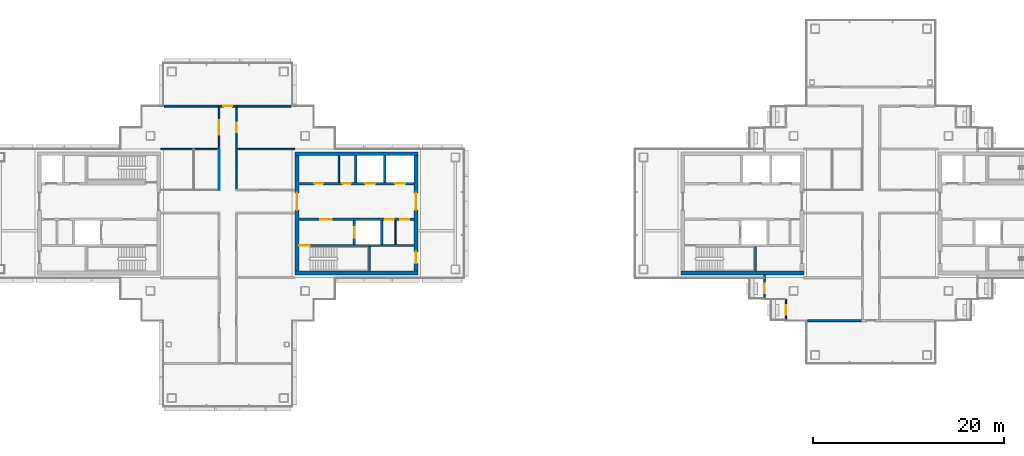
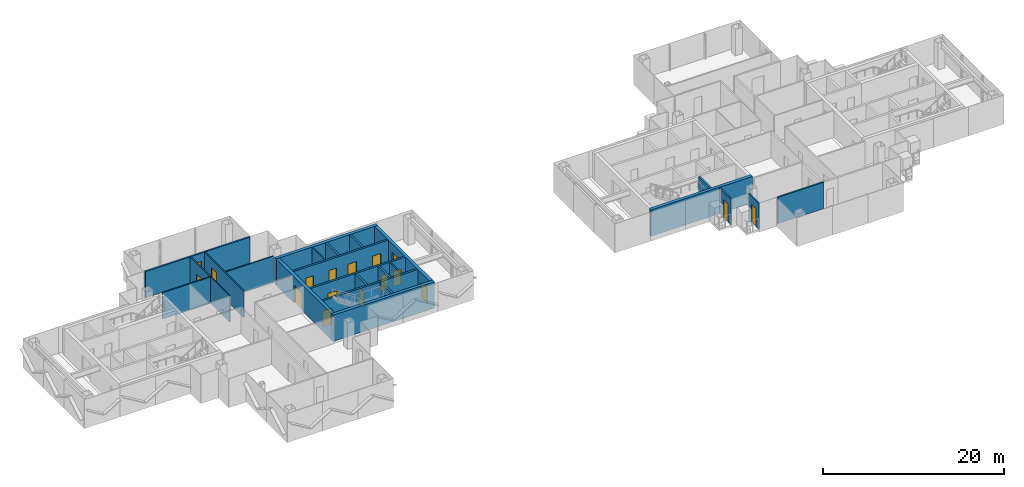
# One storey, part 10 of 17: 27 walls, 17 doors, 17 openings.
"""IFC4 building model written with IfcOpenShell, lengths in metres."""

from ifc_helpers import new_model, si_unit, direction, frame, frame_2d, origin, place, context, subcontext, project, spatial, rectangle, extrude, material, layer, layer_set, type_object, element, fill, save


model = new_model("IFC4")

# Units and contexts
model_context = context("Model", 3, precision=1e-05, world=origin(), true_north=direction((0.0, 1.0)))
body_context = subcontext(model_context, "Body", "Model", "MODEL_VIEW")
ifc_project = project(units=[si_unit("LENGTHUNIT", "METRE"), si_unit("AREAUNIT", "SQUARE_METRE"), si_unit("VOLUMEUNIT", "CUBIC_METRE"), si_unit("PLANEANGLEUNIT", "RADIAN"), si_unit("MASSUNIT", "GRAM", prefix="KILO")], contexts=[model_context])

# Site, building, storey
site_placement = place(None, origin())
site = spatial("IfcSite", under=ifc_project, at=site_placement, CompositionType="ELEMENT")
building_placement = place(site_placement, origin())
building = spatial("IfcBuilding", under=site, at=building_placement, Name="Shamsa Quay Exchange Towers", CompositionType="ELEMENT")
storey_placement = place(building_placement, frame((0.0, 0.0, 230.39990234375)))
storey = spatial("IfcBuildingStorey", under=building, at=storey_placement, Name="L55", CompositionType="ELEMENT", Elevation=230.39990234375)

# Wall, opening, door
ifc_material_1 = material(Name="Double-leaf gypsum board partition with acoustic insulation")
ifc_layer_1 = layer(ifc_material_1, 0.199951171875)
ifc_layer_set_1 = layer_set([ifc_layer_1], Name="Acoustic partition 200 mm EI 60")
wall_type_1 = type_object("IfcWallType", Name="Acoustic partition 200 mm EI 60", PredefinedType="PARTITIONING", material=ifc_layer_set_1)
wall_1_placement = place(storey_placement, frame((-34.725341796875, 11.25, 0.0)))
wall_1 = element("IfcWall", 1, at=wall_1_placement, inside=storey, type_object=wall_type_1, Name="Partition T1-R25-W10", PredefinedType="PARTITIONING", context=body_context, shape_type="SweptSolid", body=[
    extrude(rectangle(XDim=1.95068359375, YDim=0.199951171875, at=frame_2d((0.975341796875, 0.0))), origin(), (0.0, 0.0, 1.0), 3.550048828125),
])
opening_1_placement = place(wall_1_placement, frame((0.525390625, 0.0, 0.0)))
opening_1 = element("IfcOpeningElement", 2, at=opening_1_placement, cuts=wall_1, Name="Opening T1-R25-D06", PredefinedType="OPENING", context=body_context, shape_type="SweptSolid", body=[
    extrude(rectangle(XDim=0.89990234375, YDim=2.39990234375, at=frame_2d((0.449951171875, 1.199951171875))), frame((0.0, 0.10986328125, 0.0), z_axis=(0.0, -1.0, 0.0), x_axis=(1.0, 0.0, 0.0)), (0.0, 0.0, 1.0), 0.219970703125),
])
ifc_material_2 = material(Name="Timber door leaf in a metal frame", Category="wood")
door_type_1 = type_object("IfcDoorType", Name="Door 900x2400 FD30S", OperationType="NOTDEFINED", PredefinedType="DOOR", material=ifc_material_2)
door_1_placement = place(opening_1_placement, origin())
door_1 = element("IfcDoor", 3, at=door_1_placement, inside=storey, type_object=door_type_1, Name="Door T1-R25-D06", OperationType="SINGLE_SWING_LEFT", OverallHeight=2.39990234375, OverallWidth=0.89990234375, PredefinedType="DOOR", context=body_context, shape_type="SweptSolid", body=[
    extrude(rectangle(XDim=0.89990234375, YDim=2.39990234375, at=frame_2d((0.449951171875, 1.199951171875))), frame((0.0, 0.02490234375, 0.0), z_axis=(0.0, -1.0, 0.0), x_axis=(1.0, 0.0, 0.0)), (0.0, 0.0, 1.0), 0.050048828125),
])
fill(opening_1, door_1)

# Walls
for number, where, z_axis, x_axis, name in (
    (4, (-27.094970703125, 11.25, 0.0), (0.0, 0.0, 1.0), (-1.0, 0.0, 0.0), "Partition T1-R25-W18"),
    (5, (-34.575439453125, 11.25, 0.0), (0.0, 0.0, 1.0), (-1.0, 0.0, 0.0), "Partition T1-R25-W19"),
):
    element("IfcWall", number, at=place(storey_placement, frame(where, z_axis=z_axis, x_axis=x_axis)), inside=storey, type_object=wall_type_1, Name=name, PredefinedType="PARTITIONING", context=body_context, shape_type="SweptSolid", body=[
        extrude(rectangle(XDim=5.82958984375, YDim=0.199951171875, at=frame_2d((2.914794921875, 0.0))), origin(), (0.0, 0.0, 1.0), 3.550048828125),
    ])
wall_2_placement = place(storey_placement, frame((27.094970703125, -11.25, 0.0)))
element("IfcWall", 6, at=wall_2_placement, inside=storey, type_object=wall_type_1, Name="Partition T2-R25-W22", PredefinedType="PARTITIONING", context=body_context, shape_type="SweptSolid", body=[
    extrude(rectangle(XDim=5.854736328125, YDim=0.199951171875, at=frame_2d((2.92724609375, 0.0))), origin(), (0.0, 0.0, 1.0), 3.550048828125),
])

# Wall, opening, door
ifc_material_3 = material(Name="Aluminium EN AW-6063 T6, black anodised, with black enamelled glass infill", Category="aluminium")
ifc_layer_2 = layer(ifc_material_3, 0.14990234375)
ifc_layer_set_2 = layer_set([ifc_layer_2], Name="BALCONY DOOR BAY WALL 150")
wall_type_2 = type_object("IfcWallType", Name="BALCONY DOOR BAY WALL 150", PredefinedType="SOLIDWALL", material=ifc_layer_set_2)
wall_3_placement = place(storey_placement, frame((22.574951171875, -9.0, 0.0), z_axis=(0.0, 0.0, 1.0), x_axis=(0.0, 1.0, 0.0)))
wall_3 = element("IfcWall", 7, at=wall_3_placement, inside=storey, type_object=wall_type_2, Name="Door bay T2-PKWN L55", PredefinedType="SOLIDWALL", context=body_context, shape_type="SweptSolid", body=[
    extrude(rectangle(XDim=2.556884765625, YDim=0.14990234375, at=frame_2d((1.2783203125, 0.0))), origin(), (0.0, 0.0, 1.0), 3.4501953125),
])
opening_2_placement = place(wall_3_placement, frame((0.625, 0.0, 0.0)))
opening_2 = element("IfcOpeningElement", 8, at=opening_2_placement, cuts=wall_3, Name="Opening XD365", PredefinedType="OPENING", context=body_context, shape_type="SweptSolid", body=[
    extrude(rectangle(XDim=1.0, YDim=2.39990234375, at=frame_2d((0.5, 1.199951171875))), frame((0.0, 0.0849609375, 0.0), z_axis=(0.0, -1.0, 0.0), x_axis=(1.0, 0.0, 0.0)), (0.0, 0.0, 1.0), 0.169921875),
])
ifc_material_4 = material(Name="Aluminium EN AW-6063 T6, black anodised, with laminated glass leaf", Category="aluminium")
door_type_2 = type_object("IfcDoorType", Name="BALCONY DOOR 1000x2400", OperationType="SINGLE_SWING_LEFT", PredefinedType="DOOR", material=ifc_material_4)
door_2_placement = place(opening_2_placement, origin())
door_2 = element("IfcDoor", 9, at=door_2_placement, inside=storey, type_object=door_type_2, Name="Balcony door T2-PKWN L55", OperationType="SINGLE_SWING_LEFT", OverallHeight=2.39990234375, OverallWidth=1.0, PredefinedType="DOOR", context=body_context, shape_type="SweptSolid", body=[
    extrude(rectangle(XDim=1.0, YDim=2.39990234375, at=frame_2d((0.5, 1.199951171875))), frame((0.0, 0.02490234375, 0.0), z_axis=(0.0, -1.0, 0.0), x_axis=(1.0, 0.0, 0.0)), (0.0, 0.0, 1.0), 0.050048828125),
])
fill(opening_2, door_2)

wall_4_placement = place(storey_placement, frame((24.824951171875, -11.25, 0.0), z_axis=(0.0, 0.0, 1.0), x_axis=(0.0, 1.0, 0.0)))
wall_4 = element("IfcWall", 10, at=wall_4_placement, inside=storey, type_object=wall_type_2, Name="Door bay T2-PKWN L55", PredefinedType="SOLIDWALL", context=body_context, shape_type="SweptSolid", body=[
    extrude(rectangle(XDim=2.25, YDim=0.14990234375, at=frame_2d((1.125, 0.0))), origin(), (0.0, 0.0, 1.0), 3.4501953125),
])
opening_3_placement = place(wall_4_placement, frame((0.625, 0.0, 0.0)))
opening_3 = element("IfcOpeningElement", 11, at=opening_3_placement, cuts=wall_4, Name="Opening XD366", PredefinedType="OPENING", context=body_context, shape_type="SweptSolid", body=[
    extrude(rectangle(XDim=1.0, YDim=2.39990234375, at=frame_2d((0.5, 1.199951171875))), frame((0.0, 0.0849609375, 0.0), z_axis=(0.0, -1.0, 0.0), x_axis=(1.0, 0.0, 0.0)), (0.0, 0.0, 1.0), 0.169921875),
])
door_3_placement = place(opening_3_placement, origin())
door_3 = element("IfcDoor", 12, at=door_3_placement, inside=storey, type_object=door_type_2, Name="Balcony door T2-PKWN L55", OperationType="SINGLE_SWING_RIGHT", OverallHeight=2.39990234375, OverallWidth=1.0, PredefinedType="DOOR", context=body_context, shape_type="SweptSolid", body=[
    extrude(rectangle(XDim=1.0, YDim=2.39990234375, at=frame_2d((0.5, 1.199951171875))), frame((0.0, 0.02490234375, 0.0), z_axis=(0.0, -1.0, 0.0), x_axis=(1.0, 0.0, 0.0)), (0.0, 0.0, 1.0), 0.050048828125),
])
fill(opening_3, door_3)

# Walls
ifc_material_5 = material(Name="Concrete C60/75", Category="concrete")
ifc_layer_3 = layer(ifc_material_5, 0.39990234375)
ifc_layer_set_3 = layer_set([ifc_layer_3], Name="CORE WALL 400 C60/75")
wall_type_3 = type_object("IfcWallType", Name="CORE WALL 400 C60/75", PredefinedType="SHEAR", material=ifc_layer_set_3)
for number, where, name in (
    (13, (-26.699951171875, -6.25, 0.0), "Core wall T1A-R25-PS"),
    (14, (-26.699951171875, 6.25, 0.0), "Core wall T1A-R25-PN"),
):
    element("IfcWall", number, at=place(storey_placement, frame(where)), inside=storey, type_object=wall_type_3, Name=name, PredefinedType="SHEAR", context=body_context, shape_type="SweptSolid", body=[
        extrude(rectangle(XDim=12.89990234375, YDim=0.39990234375, at=frame_2d((6.449951171875, 0.0))), origin(), (0.0, 0.0, 1.0), 3.550048828125),
    ])

# Wall, opening, door
wall_5_placement = place(storey_placement, frame((-26.5, 6.050048828125, 0.0), z_axis=(0.0, 0.0, 1.0), x_axis=(0.0, -1.0, 0.0)))
wall_5 = element("IfcWall", 15, at=wall_5_placement, inside=storey, type_object=wall_type_3, Name="Core wall T1A-R25-PF", PredefinedType="SHEAR", context=body_context, shape_type="SweptSolid", body=[
    extrude(rectangle(XDim=12.10009765625, YDim=0.39990234375, at=frame_2d((6.050048828125, 0.0))), origin(), (0.0, 0.0, 1.0), 3.550048828125),
])
opening_4_placement = place(wall_5_placement, frame((3.89990234375, 0.0, 0.0)))
opening_4 = element("IfcOpeningElement", 16, at=opening_4_placement, cuts=wall_5, Name="Opening T1A-R25-LBD01", PredefinedType="OPENING", context=body_context, shape_type="SweptSolid", body=[
    extrude(rectangle(XDim=1.800048828125, YDim=2.39990234375, at=frame_2d((0.89990234375, 1.199951171875))), frame((0.0, 0.2099609375, 0.0), z_axis=(0.0, -1.0, 0.0), x_axis=(1.0, 0.0, 0.0)), (0.0, 0.0, 1.0), 0.419921875),
])
ifc_material_6 = material(Name="Steel, fire rated", Category="steel")
door_type_3 = type_object("IfcDoorType", Name="LIFT LOBBY DOOR PAIR 1800", OperationType="DOUBLE_DOOR_SINGLE_SWING", PredefinedType="DOOR", material=ifc_material_6)
door_4_placement = place(opening_4_placement, origin())
door_4 = element("IfcDoor", 17, at=door_4_placement, inside=storey, type_object=door_type_3, Name="T1A-R25-LBD01", OperationType="DOUBLE_DOOR_SINGLE_SWING", OverallHeight=2.39990234375, OverallWidth=1.800048828125, PredefinedType="DOOR", context=body_context, shape_type="SweptSolid", body=[
    extrude(rectangle(XDim=1.800048828125, YDim=2.39990234375, at=frame_2d((0.89990234375, 1.199951171875))), frame((0.0, 0.02490234375, 0.0), z_axis=(0.0, -1.0, 0.0), x_axis=(1.0, 0.0, 0.0)), (0.0, 0.0, 1.0), 0.050048828125),
])
fill(opening_4, door_4)

# Wall, openings, doors
wall_6_placement = place(storey_placement, frame((-14.0, 6.050048828125, 0.0), z_axis=(0.0, 0.0, 1.0), x_axis=(0.0, -1.0, 0.0)))
wall_6 = element("IfcWall", 18, at=wall_6_placement, inside=storey, type_object=wall_type_3, Name="Core wall T1A-R25-PB", PredefinedType="SHEAR", context=body_context, shape_type="SweptSolid", body=[
    extrude(rectangle(XDim=12.10009765625, YDim=0.39990234375, at=frame_2d((6.050048828125, 0.0))), origin(), (0.0, 0.0, 1.0), 3.550048828125),
])
opening_5_placement = place(wall_6_placement, frame((10.10009765625, 0.0, 0.0)))
opening_5 = element("IfcOpeningElement", 19, at=opening_5_placement, cuts=wall_6, Name="Opening T1A-R25-RD02", PredefinedType="OPENING", context=body_context, shape_type="SweptSolid", body=[
    extrude(rectangle(XDim=1.199951171875, YDim=2.10009765625, at=frame_2d((0.60009765625, 1.050048828125))), frame((0.0, 0.2099609375, 0.0), z_axis=(0.0, -1.0, 0.0), x_axis=(1.0, 0.0, 0.0)), (0.0, 0.0, 1.0), 0.419921875),
])
opening_6_placement = place(wall_6_placement, frame((3.89990234375, 0.0, 0.0)))
opening_6 = element("IfcOpeningElement", 20, at=opening_6_placement, cuts=wall_6, Name="Opening T1A-R25-LBD03", PredefinedType="OPENING", context=body_context, shape_type="SweptSolid", body=[
    extrude(rectangle(XDim=1.800048828125, YDim=2.39990234375, at=frame_2d((0.89990234375, 1.199951171875))), frame((0.0, 0.2099609375, 0.0), z_axis=(0.0, -1.0, 0.0), x_axis=(1.0, 0.0, 0.0)), (0.0, 0.0, 1.0), 0.419921875),
])
door_5_placement = place(opening_6_placement, origin())
door_5 = element("IfcDoor", 21, at=door_5_placement, inside=storey, type_object=door_type_3, Name="T1A-R25-LBD03", OperationType="DOUBLE_DOOR_SINGLE_SWING", OverallHeight=2.39990234375, OverallWidth=1.800048828125, PredefinedType="DOOR", context=body_context, shape_type="SweptSolid", body=[
    extrude(rectangle(XDim=1.800048828125, YDim=2.39990234375, at=frame_2d((0.89990234375, 1.199951171875))), frame((0.0, 0.02490234375, 0.0), z_axis=(0.0, -1.0, 0.0), x_axis=(1.0, 0.0, 0.0)), (0.0, 0.0, 1.0), 0.050048828125),
])
fill(opening_6, door_5)
door_type_4 = type_object("IfcDoorType", Name="RISER ACCESS DOOR 1200", OperationType="SINGLE_SWING_LEFT", PredefinedType="DOOR", material=ifc_material_6)
door_6_placement = place(opening_5_placement, origin())
door_6 = element("IfcDoor", 22, at=door_6_placement, inside=storey, type_object=door_type_4, Name="T1A-R25-RD02", OperationType="SINGLE_SWING_RIGHT", OverallHeight=2.10009765625, OverallWidth=1.199951171875, PredefinedType="DOOR", context=body_context, shape_type="SweptSolid", body=[
    extrude(rectangle(XDim=1.199951171875, YDim=2.10009765625, at=frame_2d((0.60009765625, 1.050048828125))), frame((0.0, 0.02490234375, 0.0), z_axis=(0.0, -1.0, 0.0), x_axis=(1.0, 0.0, 0.0)), (0.0, 0.0, 1.0), 0.050048828125),
])
fill(opening_5, door_6)

# Walls
wall_7_placement = place(storey_placement, frame((13.800048828125, -6.25, 0.0)))
element("IfcWall", 23, at=wall_7_placement, inside=storey, type_object=wall_type_3, Name="Core wall T2A-R25-PS", PredefinedType="SHEAR", context=body_context, shape_type="SweptSolid", body=[
    extrude(rectangle(XDim=12.89990234375, YDim=0.39990234375, at=frame_2d((6.449951171875, 0.0))), origin(), (0.0, 0.0, 1.0), 3.550048828125),
])
ifc_material_7 = material(Name="Gypsum board on steel studs, EI 60", Category="steel")
ifc_layer_4 = layer(ifc_material_7, 0.14990234375)
ifc_layer_set_4 = layer_set([ifc_layer_4], Name="FIRE PARTITION 150")
wall_type_4 = type_object("IfcWallType", Name="FIRE PARTITION 150", PredefinedType="PARTITIONING", material=ifc_layer_set_4)
wall_8_placement = place(storey_placement, frame((-16.14990234375, -3.25, 0.0), z_axis=(0.0, 0.0, 1.0), x_axis=(0.0, 1.0, 0.0)))
element("IfcWall", 24, at=wall_8_placement, inside=storey, type_object=wall_type_4, Name="Partition T1A-R25-EC0", PredefinedType="PARTITIONING", context=body_context, shape_type="SweptSolid", body=[
    extrude(rectangle(XDim=2.5, YDim=0.14990234375, at=frame_2d((1.25, 0.0))), origin(), (0.0, 0.0, 1.0), 3.550048828125),
])
wall_9_placement = place(storey_placement, frame((-22.10009765625, 3.25, 0.0), z_axis=(0.0, 0.0, 1.0), x_axis=(0.0, 1.0, 0.0)))
element("IfcWall", 25, at=wall_9_placement, inside=storey, type_object=wall_type_4, Name="Partition T1A-R25-FC0", PredefinedType="PARTITIONING", context=body_context, shape_type="SweptSolid", body=[
    extrude(rectangle(XDim=2.800048828125, YDim=0.14990234375, at=frame_2d((1.39990234375, 0.0))), origin(), (0.0, 0.0, 1.0), 3.550048828125),
])
ifc_material_8 = material(Name="Gypsum board partition on metal studs")
ifc_layer_5 = layer(ifc_material_8, 0.10009765625)
ifc_layer_set_5 = layer_set([ifc_layer_5], Name="Partition 100 mm NOT RATED")
wall_type_5 = type_object("IfcWallType", Name="Partition 100 mm NOT RATED", PredefinedType="PARTITIONING", material=ifc_layer_set_5)
wall_10_placement = place(storey_placement, frame((-34.650390625, 2.500244140625, 0.0), z_axis=(0.0, 0.0, 1.0), x_axis=(0.0, 1.0, 0.0)))
element("IfcWall", 26, at=wall_10_placement, inside=storey, type_object=wall_type_5, Name="Partition T1-R25-W07", PredefinedType="PARTITIONING", context=body_context, shape_type="SweptSolid", body=[
    extrude(rectangle(XDim=4.1748046875, YDim=0.10009765625, at=frame_2d((2.08740234375, 0.0))), origin(), (0.0, 0.0, 1.0), 3.550048828125),
])

# Wall, opening, door
ifc_layer_6 = layer(ifc_material_8, 0.14990234375)
ifc_layer_set_6 = layer_set([ifc_layer_6], Name="Partition 150 mm EI 60")
wall_type_6 = type_object("IfcWallType", Name="Partition 150 mm EI 60", PredefinedType="PARTITIONING", material=ifc_layer_set_6)
wall_11_placement = place(storey_placement, frame((-32.849609375, 11.14990234375, 0.0), z_axis=(0.0, 0.0, 1.0), x_axis=(0.0, -1.0, 0.0)))
wall_11 = element("IfcWall", 27, at=wall_11_placement, inside=storey, type_object=wall_type_6, Name="Partition T1-R25-W01", PredefinedType="PARTITIONING", context=body_context, shape_type="SweptSolid", body=[
    extrude(rectangle(XDim=8.624755859375, YDim=0.14990234375, at=frame_2d((4.3125, 0.0))), origin(), (0.0, 0.0, 1.0), 3.550048828125),
])
opening_7_placement = place(wall_11_placement, frame((1.64990234375, 0.0, 0.0)))
opening_7 = element("IfcOpeningElement", 28, at=opening_7_placement, cuts=wall_11, Name="Opening T1-R25-D11", PredefinedType="OPENING", context=body_context, shape_type="SweptSolid", body=[
    extrude(rectangle(XDim=1.0, YDim=2.39990234375, at=frame_2d((0.5, 1.199951171875))), frame((0.0, 0.0849609375, 0.0), z_axis=(0.0, -1.0, 0.0), x_axis=(1.0, 0.0, 0.0)), (0.0, 0.0, 1.0), 0.169921875),
])
door_type_5 = type_object("IfcDoorType", Name="Door 1000x2400 FD30S", OperationType="NOTDEFINED", PredefinedType="DOOR", material=ifc_material_2)
door_7_placement = place(opening_7_placement, origin())
door_7 = element("IfcDoor", 29, at=door_7_placement, inside=storey, type_object=door_type_5, Name="Door T1-R25-D11", OperationType="SINGLE_SWING_RIGHT", OverallHeight=2.39990234375, OverallWidth=1.0, PredefinedType="DOOR", context=body_context, shape_type="SweptSolid", body=[
    extrude(rectangle(XDim=1.0, YDim=2.39990234375, at=frame_2d((0.5, 1.199951171875))), frame((0.0, 0.02490234375, 0.0), z_axis=(0.0, -1.0, 0.0), x_axis=(1.0, 0.0, 0.0)), (0.0, 0.0, 1.0), 0.050048828125),
])
fill(opening_7, door_7)

wall_12_placement = place(storey_placement, frame((-34.650390625, 6.824951171875, 0.0), z_axis=(0.0, 0.0, 1.0), x_axis=(0.0, 1.0, 0.0)))
wall_12 = element("IfcWall", 30, at=wall_12_placement, inside=storey, type_object=wall_type_6, Name="Partition T1-R25-W09", PredefinedType="PARTITIONING", context=body_context, shape_type="SweptSolid", body=[
    extrude(rectangle(XDim=4.324951171875, YDim=0.14990234375, at=frame_2d((2.16259765625, 0.0))), origin(), (0.0, 0.0, 1.0), 3.550048828125),
])
opening_8_placement = place(wall_12_placement, frame((1.425048828125, 0.0, 0.0)))
opening_8 = element("IfcOpeningElement", 31, at=opening_8_placement, cuts=wall_12, Name="Opening T1-R25-D05", PredefinedType="OPENING", context=body_context, shape_type="SweptSolid", body=[
    extrude(rectangle(XDim=1.5, YDim=2.10009765625, at=frame_2d((0.75, 1.050048828125))), frame((0.0, 0.0849609375, 0.0), z_axis=(0.0, -1.0, 0.0), x_axis=(1.0, 0.0, 0.0)), (0.0, 0.0, 1.0), 0.169921875),
])
door_type_6 = type_object("IfcDoorType", Name="Door 1500x2100 FD30S pair", OperationType="NOTDEFINED", PredefinedType="DOOR", material=ifc_material_2)
door_8_placement = place(opening_8_placement, origin())
door_8 = element("IfcDoor", 32, at=door_8_placement, inside=storey, type_object=door_type_6, Name="Door T1-R25-D05", OperationType="DOUBLE_DOOR_SINGLE_SWING", OverallHeight=2.10009765625, OverallWidth=1.5, PredefinedType="DOOR", context=body_context, shape_type="SweptSolid", body=[
    extrude(rectangle(XDim=1.5, YDim=2.10009765625, at=frame_2d((0.75, 1.050048828125))), frame((0.0, 0.02490234375, 0.0), z_axis=(0.0, -1.0, 0.0), x_axis=(1.0, 0.0, 0.0)), (0.0, 0.0, 1.0), 0.050048828125),
])
fill(opening_8, door_8)

# Walls
wall_13_placement = place(storey_placement, frame((-26.699951171875, 6.75, 0.0), z_axis=(0.0, 0.0, 1.0), x_axis=(-1.0, 0.0, 0.0)))
element("IfcWall", 33, at=wall_13_placement, inside=storey, type_object=wall_type_6, Name="Partition T1-R25-W13", PredefinedType="PARTITIONING", context=body_context, shape_type="SweptSolid", body=[
    extrude(rectangle(XDim=6.07470703125, YDim=0.14990234375, at=frame_2d((3.037353515625, 0.0))), origin(), (0.0, 0.0, 1.0), 3.550048828125),
])
wall_14_placement = place(storey_placement, frame((-34.575439453125, 6.75, 0.0), z_axis=(0.0, 0.0, 1.0), x_axis=(-1.0, 0.0, 0.0)))
element("IfcWall", 34, at=wall_14_placement, inside=storey, type_object=wall_type_6, Name="Partition T1-R25-W14", PredefinedType="PARTITIONING", context=body_context, shape_type="SweptSolid", body=[
    extrude(rectangle(XDim=6.224609375, YDim=0.14990234375, at=frame_2d((3.1123046875, 0.0))), origin(), (0.0, 0.0, 1.0), 3.550048828125),
])

# Wall, opening, door
ifc_material_9 = material(Name="Concrete C50/60", Category="concrete")
ifc_layer_7 = layer(ifc_material_9, 0.25)
ifc_layer_set_7 = layer_set([ifc_layer_7], Name="SHAFT WALL 250 C50/60")
wall_type_7 = type_object("IfcWallType", Name="SHAFT WALL 250 C50/60", PredefinedType="SHEAR", material=ifc_layer_set_7)
wall_15_placement = place(storey_placement, frame((-14.199951171875, -3.375, 0.0), z_axis=(0.0, 0.0, 1.0), x_axis=(-1.0, 0.0, 0.0)))
wall_15 = element("IfcWall", 35, at=wall_15_placement, inside=storey, type_object=wall_type_7, Name="Shaft wall T1A-R25-STL", PredefinedType="SHEAR", context=body_context, shape_type="SweptSolid", body=[
    extrude(rectangle(XDim=12.10009765625, YDim=0.25, at=frame_2d((6.050048828125, 0.0))), origin(), (0.0, 0.0, 1.0), 3.550048828125),
])
opening_9_placement = place(wall_15_placement, frame((10.949951171875, 0.0, 0.0)))
opening_9 = element("IfcOpeningElement", 36, at=opening_9_placement, cuts=wall_15, Name="Opening T1A-R25-SD04", PredefinedType="OPENING", context=body_context, shape_type="SweptSolid", body=[
    extrude(rectangle(XDim=1.10009765625, YDim=2.10009765625, at=frame_2d((0.550048828125, 1.050048828125))), frame((0.0, 0.135009765625, 0.0), z_axis=(0.0, -1.0, 0.0), x_axis=(1.0, 0.0, 0.0)), (0.0, 0.0, 1.0), 0.27001953125),
])
door_type_7 = type_object("IfcDoorType", Name="STAIR DOOR 1100", OperationType="SINGLE_SWING_LEFT", PredefinedType="DOOR", material=ifc_material_6)
door_9_placement = place(opening_9_placement, origin())
door_9 = element("IfcDoor", 37, at=door_9_placement, inside=storey, type_object=door_type_7, Name="T1A-R25-SD04", OperationType="SINGLE_SWING_RIGHT", OverallHeight=2.10009765625, OverallWidth=1.10009765625, PredefinedType="DOOR", context=body_context, shape_type="SweptSolid", body=[
    extrude(rectangle(XDim=1.10009765625, YDim=2.10009765625, at=frame_2d((0.550048828125, 1.050048828125))), frame((0.0, 0.02490234375, 0.0), z_axis=(0.0, -1.0, 0.0), x_axis=(1.0, 0.0, 0.0)), (0.0, 0.0, 1.0), 0.050048828125),
])
fill(opening_9, door_9)

# Wall
wall_16_placement = place(storey_placement, frame((-18.875, -6.050048828125, 0.0), z_axis=(0.0, 0.0, 1.0), x_axis=(0.0, 1.0, 0.0)))
element("IfcWall", 38, at=wall_16_placement, inside=storey, type_object=wall_type_7, Name="Shaft wall T1A-R25-STF", PredefinedType="SHEAR", context=body_context, shape_type="SweptSolid", body=[
    extrude(rectangle(XDim=2.550048828125, YDim=0.25, at=frame_2d((1.27490234375, 0.0))), origin(), (0.0, 0.0, 1.0), 3.550048828125),
])

# Wall, openings, doors
wall_17_placement = place(storey_placement, frame((-14.199951171875, -0.625, 0.0), z_axis=(0.0, 0.0, 1.0), x_axis=(-1.0, 0.0, 0.0)))
wall_17 = element("IfcWall", 39, at=wall_17_placement, inside=storey, type_object=wall_type_7, Name="Shaft wall T1A-R25-B", PredefinedType="SHEAR", context=body_context, shape_type="SweptSolid", body=[
    extrude(rectangle(XDim=12.10009765625, YDim=0.25, at=frame_2d((6.050048828125, 0.0))), origin(), (0.0, 0.0, 1.0), 3.550048828125),
])
opening_10_placement = place(wall_17_placement, frame((8.64990234375, 0.0, 0.0)))
opening_10 = element("IfcOpeningElement", 40, at=opening_10_placement, cuts=wall_17, Name="Opening T1A-R25-FD05", PredefinedType="OPENING", context=body_context, shape_type="SweptSolid", body=[
    extrude(rectangle(XDim=1.199951171875, YDim=2.10009765625, at=frame_2d((0.60009765625, 1.050048828125))), frame((0.0, 0.135009765625, 0.0), z_axis=(0.0, -1.0, 0.0), x_axis=(1.0, 0.0, 0.0)), (0.0, 0.0, 1.0), 0.27001953125),
])
opening_11_placement = place(wall_17_placement, frame((2.14990234375, 0.0, 0.0)))
opening_11 = element("IfcOpeningElement", 41, at=opening_11_placement, cuts=wall_17, Name="Opening T1A-R25-SV06", PredefinedType="OPENING", context=body_context, shape_type="SweptSolid", body=[
    extrude(rectangle(XDim=0.89990234375, YDim=2.10009765625, at=frame_2d((0.449951171875, 1.050048828125))), frame((0.0, 0.135009765625, 0.0), z_axis=(0.0, -1.0, 0.0), x_axis=(1.0, 0.0, 0.0)), (0.0, 0.0, 1.0), 0.27001953125),
])
opening_12_placement = place(wall_17_placement, frame((0.52490234375, 0.0, 0.0)))
opening_12 = element("IfcOpeningElement", 42, at=opening_12_placement, cuts=wall_17, Name="Opening T1A-R25-SV07", PredefinedType="OPENING", context=body_context, shape_type="SweptSolid", body=[
    extrude(rectangle(XDim=0.89990234375, YDim=2.10009765625, at=frame_2d((0.449951171875, 1.050048828125))), frame((0.0, 0.135009765625, 0.0), z_axis=(0.0, -1.0, 0.0), x_axis=(1.0, 0.0, 0.0)), (0.0, 0.0, 1.0), 0.27001953125),
])
door_type_8 = type_object("IfcDoorType", Name="FIRE SERVICE LOBBY DOOR 1200", OperationType="SINGLE_SWING_LEFT", PredefinedType="DOOR", material=ifc_material_6)
door_10_placement = place(opening_10_placement, origin())
door_10 = element("IfcDoor", 43, at=door_10_placement, inside=storey, type_object=door_type_8, Name="T1A-R25-FD05", OperationType="SINGLE_SWING_RIGHT", OverallHeight=2.10009765625, OverallWidth=1.199951171875, PredefinedType="DOOR", context=body_context, shape_type="SweptSolid", body=[
    extrude(rectangle(XDim=1.199951171875, YDim=2.10009765625, at=frame_2d((0.60009765625, 1.050048828125))), frame((0.0, 0.02490234375, 0.0), z_axis=(0.0, -1.0, 0.0), x_axis=(1.0, 0.0, 0.0)), (0.0, 0.0, 1.0), 0.050048828125),
])
fill(opening_10, door_10)
door_type_9 = type_object("IfcDoorType", Name="SERVICE ROOM DOOR 900", OperationType="SINGLE_SWING_LEFT", PredefinedType="DOOR", material=ifc_material_6)
door_11_placement = place(opening_11_placement, origin())
door_11 = element("IfcDoor", 44, at=door_11_placement, inside=storey, type_object=door_type_9, Name="T1A-R25-SV06", OperationType="SINGLE_SWING_LEFT", OverallHeight=2.10009765625, OverallWidth=0.89990234375, PredefinedType="DOOR", context=body_context, shape_type="SweptSolid", body=[
    extrude(rectangle(XDim=0.89990234375, YDim=2.10009765625, at=frame_2d((0.449951171875, 1.050048828125))), frame((0.0, 0.02490234375, 0.0), z_axis=(0.0, -1.0, 0.0), x_axis=(1.0, 0.0, 0.0)), (0.0, 0.0, 1.0), 0.050048828125),
])
fill(opening_11, door_11)
door_12_placement = place(opening_12_placement, origin())
door_12 = element("IfcDoor", 45, at=door_12_placement, inside=storey, type_object=door_type_9, Name="T1A-R25-SV07", OperationType="SINGLE_SWING_LEFT", OverallHeight=2.10009765625, OverallWidth=0.89990234375, PredefinedType="DOOR", context=body_context, shape_type="SweptSolid", body=[
    extrude(rectangle(XDim=0.89990234375, YDim=2.10009765625, at=frame_2d((0.449951171875, 1.050048828125))), frame((0.0, 0.02490234375, 0.0), z_axis=(0.0, -1.0, 0.0), x_axis=(1.0, 0.0, 0.0)), (0.0, 0.0, 1.0), 0.050048828125),
])
fill(opening_12, door_12)

# Wall, opening, door
wall_18_placement = place(storey_placement, frame((-20.47509765625, -3.25, 0.0), z_axis=(0.0, 0.0, 1.0), x_axis=(0.0, 1.0, 0.0)))
wall_18 = element("IfcWall", 46, at=wall_18_placement, inside=storey, type_object=wall_type_7, Name="Shaft wall T1A-R25-FFF", PredefinedType="SHEAR", context=body_context, shape_type="SweptSolid", body=[
    extrude(rectangle(XDim=2.5, YDim=0.25, at=frame_2d((1.25, 0.0))), origin(), (0.0, 0.0, 1.0), 3.550048828125),
])
opening_13_placement = place(wall_18_placement, frame((0.699951171875, 0.0, 0.0)))
opening_13 = element("IfcOpeningElement", 47, at=opening_13_placement, cuts=wall_18, Name="Opening T1A-R25-LDF08", PredefinedType="OPENING", context=body_context, shape_type="SweptSolid", body=[
    extrude(rectangle(XDim=1.10009765625, YDim=2.10009765625, at=frame_2d((0.550048828125, 1.050048828125))), frame((0.0, 0.135009765625, 0.0), z_axis=(0.0, -1.0, 0.0), x_axis=(1.0, 0.0, 0.0)), (0.0, 0.0, 1.0), 0.27001953125),
])
door_type_10 = type_object("IfcDoorType", Name="FIRE SERVICE LANDING DOOR 1100", OperationType="SLIDING_TO_LEFT", PredefinedType="DOOR", material=ifc_material_6)
door_13_placement = place(opening_13_placement, origin())
door_13 = element("IfcDoor", 48, at=door_13_placement, inside=storey, type_object=door_type_10, Name="T1A-R25-LDF08", OperationType="SLIDING_TO_LEFT", OverallHeight=2.10009765625, OverallWidth=1.10009765625, PredefinedType="DOOR", context=body_context, shape_type="SweptSolid", body=[
    extrude(rectangle(XDim=1.10009765625, YDim=2.10009765625, at=frame_2d((0.550048828125, 1.050048828125))), frame((0.0, 0.02490234375, 0.0), z_axis=(0.0, -1.0, 0.0), x_axis=(1.0, 0.0, 0.0)), (0.0, 0.0, 1.0), 0.050048828125),
])
fill(opening_13, door_13)

# Wall
wall_19_placement = place(storey_placement, frame((-17.574951171875, -3.25, 0.0), z_axis=(0.0, 0.0, 1.0), x_axis=(0.0, 1.0, 0.0)))
element("IfcWall", 49, at=wall_19_placement, inside=storey, type_object=wall_type_7, Name="Shaft wall T1A-R25-FFB", PredefinedType="SHEAR", context=body_context, shape_type="SweptSolid", body=[
    extrude(rectangle(XDim=2.5, YDim=0.25, at=frame_2d((1.25, 0.0))), origin(), (0.0, 0.0, 1.0), 3.550048828125),
])

# Wall, openings, doors
wall_20_placement = place(storey_placement, frame((-26.300048828125, 3.125, 0.0)))
wall_20 = element("IfcWall", 50, at=wall_20_placement, inside=storey, type_object=wall_type_7, Name="Shaft wall T1A-R25-N", PredefinedType="SHEAR", context=body_context, shape_type="SweptSolid", body=[
    extrude(rectangle(XDim=12.10009765625, YDim=0.25, at=frame_2d((6.050048828125, 0.0))), origin(), (0.0, 0.0, 1.0), 3.550048828125),
])
opening_14_placement = place(wall_20_placement, frame((6.949951171875, 0.0, 0.0)))
opening_14 = element("IfcOpeningElement", 51, at=opening_14_placement, cuts=wall_20, Name="Opening T1A-R25-LD09", PredefinedType="OPENING", context=body_context, shape_type="SweptSolid", body=[
    extrude(rectangle(XDim=1.10009765625, YDim=2.10009765625, at=frame_2d((0.550048828125, 1.050048828125))), frame((0.0, 0.135009765625, 0.0), z_axis=(0.0, -1.0, 0.0), x_axis=(1.0, 0.0, 0.0)), (0.0, 0.0, 1.0), 0.27001953125),
])
opening_15_placement = place(wall_20_placement, frame((10.074951171875, 0.0, 0.0)))
opening_15 = element("IfcOpeningElement", 52, at=opening_15_placement, cuts=wall_20, Name="Opening T1A-R25-LD10", PredefinedType="OPENING", context=body_context, shape_type="SweptSolid", body=[
    extrude(rectangle(XDim=1.10009765625, YDim=2.10009765625, at=frame_2d((0.550048828125, 1.050048828125))), frame((0.0, 0.135009765625, 0.0), z_axis=(0.0, -1.0, 0.0), x_axis=(1.0, 0.0, 0.0)), (0.0, 0.0, 1.0), 0.27001953125),
])
opening_16_placement = place(wall_20_placement, frame((1.64990234375, 0.0, 0.0)))
opening_16 = element("IfcOpeningElement", 53, at=opening_16_placement, cuts=wall_20, Name="Opening T1A-R25-SV11", PredefinedType="OPENING", context=body_context, shape_type="SweptSolid", body=[
    extrude(rectangle(XDim=0.89990234375, YDim=2.10009765625, at=frame_2d((0.449951171875, 1.050048828125))), frame((0.0, 0.135009765625, 0.0), z_axis=(0.0, -1.0, 0.0), x_axis=(1.0, 0.0, 0.0)), (0.0, 0.0, 1.0), 0.27001953125),
])
opening_17_placement = place(wall_20_placement, frame((4.574951171875, 0.0, 0.0)))
opening_17 = element("IfcOpeningElement", 54, at=opening_17_placement, cuts=wall_20, Name="Opening T1A-R25-SV12", PredefinedType="OPENING", context=body_context, shape_type="SweptSolid", body=[
    extrude(rectangle(XDim=0.89990234375, YDim=2.10009765625, at=frame_2d((0.449951171875, 1.050048828125))), frame((0.0, 0.135009765625, 0.0), z_axis=(0.0, -1.0, 0.0), x_axis=(1.0, 0.0, 0.0)), (0.0, 0.0, 1.0), 0.27001953125),
])
door_type_11 = type_object("IfcDoorType", Name="LANDING DOOR 1100", OperationType="SLIDING_TO_LEFT", PredefinedType="DOOR", material=ifc_material_6)
door_14_placement = place(opening_14_placement, origin())
door_14 = element("IfcDoor", 55, at=door_14_placement, inside=storey, type_object=door_type_11, Name="T1A-R25-LD09", OperationType="SLIDING_TO_LEFT", OverallHeight=2.10009765625, OverallWidth=1.10009765625, PredefinedType="DOOR", context=body_context, shape_type="SweptSolid", body=[
    extrude(rectangle(XDim=1.10009765625, YDim=2.10009765625, at=frame_2d((0.550048828125, 1.050048828125))), frame((0.0, 0.02490234375, 0.0), z_axis=(0.0, -1.0, 0.0), x_axis=(1.0, 0.0, 0.0)), (0.0, 0.0, 1.0), 0.050048828125),
])
fill(opening_14, door_14)
door_15_placement = place(opening_15_placement, origin())
door_15 = element("IfcDoor", 56, at=door_15_placement, inside=storey, type_object=door_type_11, Name="T1A-R25-LD10", OperationType="SLIDING_TO_LEFT", OverallHeight=2.10009765625, OverallWidth=1.10009765625, PredefinedType="DOOR", context=body_context, shape_type="SweptSolid", body=[
    extrude(rectangle(XDim=1.10009765625, YDim=2.10009765625, at=frame_2d((0.550048828125, 1.050048828125))), frame((0.0, 0.02490234375, 0.0), z_axis=(0.0, -1.0, 0.0), x_axis=(1.0, 0.0, 0.0)), (0.0, 0.0, 1.0), 0.050048828125),
])
fill(opening_15, door_15)
door_16_placement = place(opening_16_placement, origin())
door_16 = element("IfcDoor", 57, at=door_16_placement, inside=storey, type_object=door_type_9, Name="T1A-R25-SV11", OperationType="SINGLE_SWING_LEFT", OverallHeight=2.10009765625, OverallWidth=0.89990234375, PredefinedType="DOOR", context=body_context, shape_type="SweptSolid", body=[
    extrude(rectangle(XDim=0.89990234375, YDim=2.10009765625, at=frame_2d((0.449951171875, 1.050048828125))), frame((0.0, 0.02490234375, 0.0), z_axis=(0.0, -1.0, 0.0), x_axis=(1.0, 0.0, 0.0)), (0.0, 0.0, 1.0), 0.050048828125),
])
fill(opening_16, door_16)
door_17_placement = place(opening_17_placement, origin())
door_17 = element("IfcDoor", 58, at=door_17_placement, inside=storey, type_object=door_type_9, Name="T1A-R25-SV12", OperationType="SINGLE_SWING_LEFT", OverallHeight=2.10009765625, OverallWidth=0.89990234375, PredefinedType="DOOR", context=body_context, shape_type="SweptSolid", body=[
    extrude(rectangle(XDim=0.89990234375, YDim=2.10009765625, at=frame_2d((0.449951171875, 1.050048828125))), frame((0.0, 0.02490234375, 0.0), z_axis=(0.0, -1.0, 0.0), x_axis=(1.0, 0.0, 0.0)), (0.0, 0.0, 1.0), 0.050048828125),
])
fill(opening_17, door_17)

# Walls
for number, where, z_axis, x_axis, name in (
    (59, (-20.324951171875, 3.25, 0.0), (0.0, 0.0, 1.0), (0.0, 1.0, 0.0), "Shaft wall T1A-R25-D1"),
    (60, (-17.27490234375, 3.25, 0.0), (0.0, 0.0, 1.0), (0.0, 1.0, 0.0), "Shaft wall T1A-R25-D2"),
):
    element("IfcWall", number, at=place(storey_placement, frame(where, z_axis=z_axis, x_axis=x_axis)), inside=storey, type_object=wall_type_7, Name=name, PredefinedType="SHEAR", context=body_context, shape_type="SweptSolid", body=[
        extrude(rectangle(XDim=2.800048828125, YDim=0.25, at=frame_2d((1.39990234375, 0.0))), origin(), (0.0, 0.0, 1.0), 3.550048828125),
    ])
wall_21_placement = place(storey_placement, frame((21.625, -6.050048828125, 0.0), z_axis=(0.0, 0.0, 1.0), x_axis=(0.0, 1.0, 0.0)))
element("IfcWall", 61, at=wall_21_placement, inside=storey, type_object=wall_type_7, Name="Shaft wall T2A-R25-STF", PredefinedType="SHEAR", context=body_context, shape_type="SweptSolid", body=[
    extrude(rectangle(XDim=2.550048828125, YDim=0.25, at=frame_2d((1.27490234375, 0.0))), origin(), (0.0, 0.0, 1.0), 3.550048828125),
])

save(model, "model.ifc")
